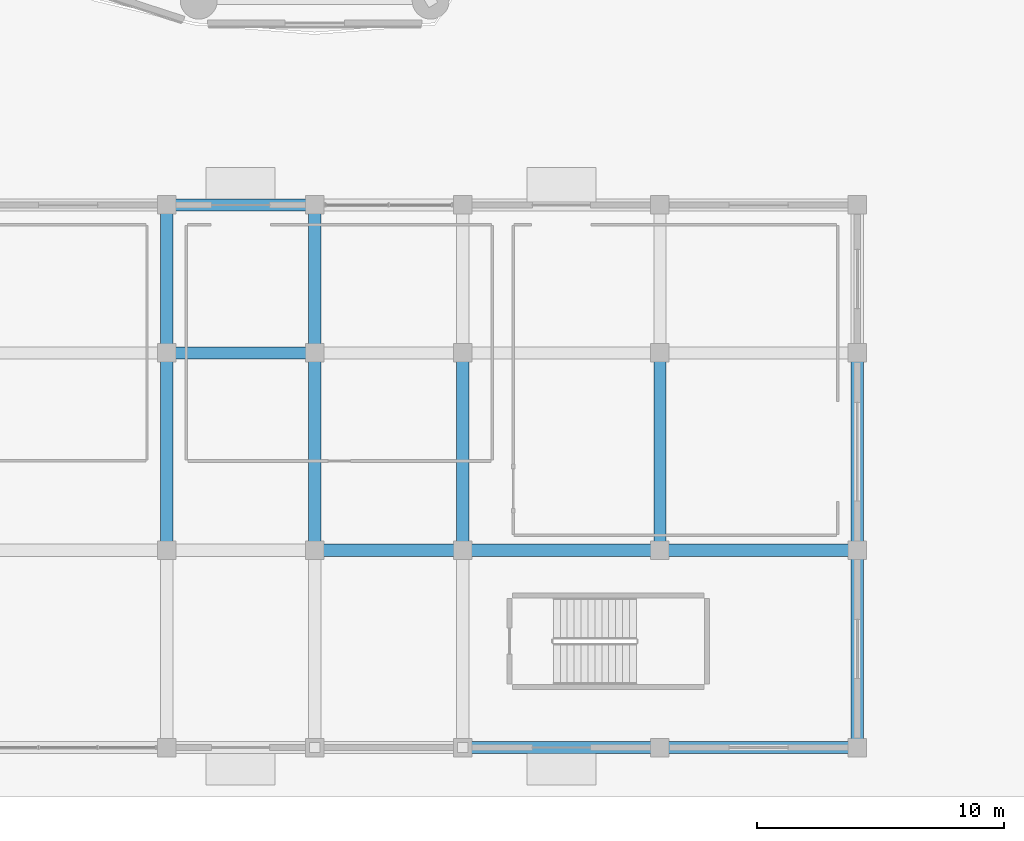
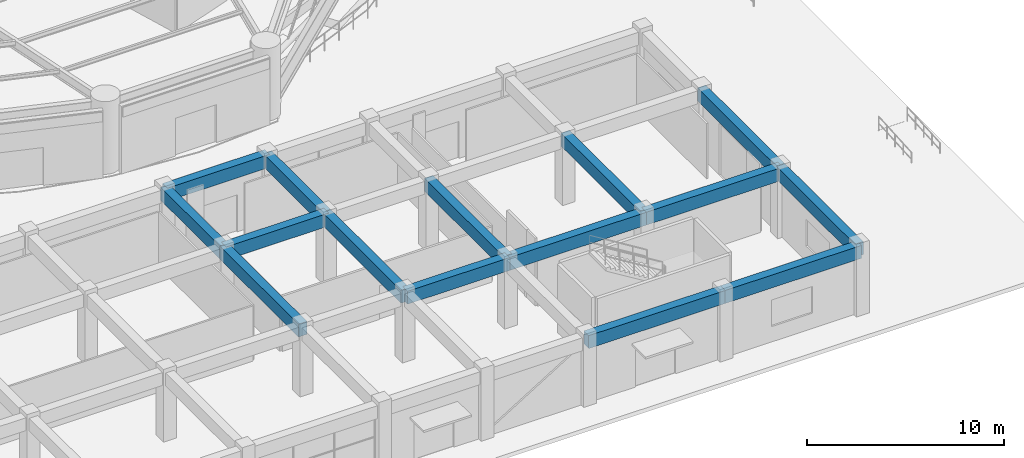
# One storey, part 17 of 40: 15 beams.
"""IFC4 building model written with IfcOpenShell, lengths in metres."""

from ifc_helpers import new_model, si_unit, direction, frame, origin, origin_2d, place, context, subcontext, project, spatial, rectangle, extrude, material, material_profile, profile_set, type_object, element, save


model = new_model("IFC4")

# Units and contexts
model_context = context("Model", 3, precision=1e-05, world=origin(), true_north=direction((0.0, 1.0)))
body_context = subcontext(model_context, "Body", "Model", "MODEL_VIEW")
ifc_project = project(units=[si_unit("LENGTHUNIT", "METRE"), si_unit("AREAUNIT", "SQUARE_METRE"), si_unit("VOLUMEUNIT", "CUBIC_METRE"), si_unit("PLANEANGLEUNIT", "RADIAN"), si_unit("MASSUNIT", "GRAM", prefix="KILO")], contexts=[model_context])

# Site, building, storey
site_placement = place(None, origin())
site = spatial("IfcSite", under=ifc_project, at=site_placement, CompositionType="ELEMENT")
building_placement = place(site_placement, origin())
building = spatial("IfcBuilding", under=site, at=building_placement, Name="Kelanora Arch Commons", CompositionType="ELEMENT")
storey_placement = place(building_placement, origin())
storey = spatial("IfcBuildingStorey", under=building, at=storey_placement, Name="L00", CompositionType="ELEMENT", Elevation=0.0)

# Beams
ifc_material = material(Name="Concrete C40/50", Category="concrete")
ifc_material_profile = material_profile(ifc_material, rectangle(XDim=0.5, YDim=0.800048828125, at=origin_2d()), Name="RCB500x800")
ifc_profile_set = profile_set([ifc_material_profile], Name="Concrete C40/50")
beam_type = type_object("IfcBeamType", Name="BM-MKT-RC1", PredefinedType="BEAM", material=ifc_profile_set)
beam_1_placement = place(storey_placement, frame((68.0, 12.0, 3.840087890625), z_axis=(0.0, 1.0, 0.0), x_axis=(-1.0, 0.0, 0.0)))
element("IfcBeam", 1, at=beam_1_placement, inside=storey, type_object=beam_type, Name="Market/Basement Frame Beam 118 L00", PredefinedType="BEAM", context=body_context, shape_type="SweptSolid", body=[
    extrude(rectangle(XDim=0.5, YDim=0.800048828125, at=origin_2d()), origin(), (0.0, 0.0, 1.0), 8.0),
])
for number, where, z_axis, x_axis, name in (
    (2, (68.0, 20.0, 3.840087890625), (1.0, 0.0, 0.0), (0.0, 1.0, 0.0), "Market/Basement Frame Beam 119 L00"),
    (3, (68.0, 20.0, 3.840087890625), (0.0, 1.0, 0.0), (-1.0, 0.0, 0.0), "Market/Basement Frame Beam 120 L00"),
    (4, (68.0, 26.0, 3.840087890625), (1.0, 0.0, 0.0), (0.0, 1.0, 0.0), "Market/Basement Frame Beam 121 L00"),
    (5, (74.0, 12.0, 3.840087890625), (1.0, 0.0, 0.0), (0.0, 1.0, 0.0), "Market/Basement Frame Beam 124 L00"),
):
    element("IfcBeam", number, at=place(storey_placement, frame(where, z_axis=z_axis, x_axis=x_axis)), inside=storey, type_object=beam_type, Name=name, PredefinedType="BEAM", context=body_context, shape_type="SweptSolid", body=[
        extrude(rectangle(XDim=0.5, YDim=0.800048828125, at=origin_2d()), origin(), (0.0, 0.0, 1.0), 6.0),
    ])
beam_2_placement = place(storey_placement, frame((74.0, 12.0, 3.840087890625), z_axis=(0.0, 1.0, 0.0), x_axis=(-1.0, 0.0, 0.0)))
element("IfcBeam", 6, at=beam_2_placement, inside=storey, type_object=beam_type, Name="Market/Basement Frame Beam 125 L00", PredefinedType="BEAM", context=body_context, shape_type="SweptSolid", body=[
    extrude(rectangle(XDim=0.5, YDim=0.800048828125, at=origin_2d()), origin(), (0.0, 0.0, 1.0), 8.0),
])
beam_3_placement = place(storey_placement, frame((74.0, 20.0, 3.840087890625), z_axis=(0.0, 1.0, 0.0), x_axis=(-1.0, 0.0, 0.0)))
element("IfcBeam", 7, at=beam_3_placement, inside=storey, type_object=beam_type, Name="Market/Basement Frame Beam 127 L00", PredefinedType="BEAM", context=body_context, shape_type="SweptSolid", body=[
    extrude(rectangle(XDim=0.5, YDim=0.800048828125, at=origin_2d()), origin(), (0.0, 0.0, 1.0), 6.0),
])
for number, where, z_axis, x_axis, name in (
    (8, (80.0, 4.0, 3.840087890625), (1.0, 0.0, 0.0), (0.0, 1.0, 0.0), "Market/Basement Frame Beam 129 L00"),
    (9, (80.0, 12.0, 3.840087890625), (1.0, 0.0, 0.0), (0.0, 1.0, 0.0), "Market/Basement Frame Beam 131 L00"),
    (10, (80.0, 12.0, 3.840087890625), (0.0, 1.0, 0.0), (-1.0, 0.0, 0.0), "Market/Basement Frame Beam 132 L00"),
    (11, (88.0, 4.0, 3.840087890625), (1.0, 0.0, 0.0), (0.0, 1.0, 0.0), "Market/Basement Frame Beam 136 L00"),
    (12, (88.0, 12.0, 3.840087890625), (1.0, 0.0, 0.0), (0.0, 1.0, 0.0), "Market/Basement Frame Beam 137 L00"),
    (13, (88.0, 12.0, 3.840087890625), (0.0, 1.0, 0.0), (-1.0, 0.0, 0.0), "Market/Basement Frame Beam 138 L00"),
    (14, (96.0, 4.0, 3.840087890625), (0.0, 1.0, 0.0), (-1.0, 0.0, 0.0), "Market/Basement Frame Beam 142 L00"),
    (15, (96.0, 12.0, 3.840087890625), (0.0, 1.0, 0.0), (-1.0, 0.0, 0.0), "Market/Basement Frame Beam 143 L00"),
):
    element("IfcBeam", number, at=place(storey_placement, frame(where, z_axis=z_axis, x_axis=x_axis)), inside=storey, type_object=beam_type, Name=name, PredefinedType="BEAM", context=body_context, shape_type="SweptSolid", body=[
        extrude(rectangle(XDim=0.5, YDim=0.800048828125, at=origin_2d()), origin(), (0.0, 0.0, 1.0), 8.0),
    ])

save(model, "model.ifc")
